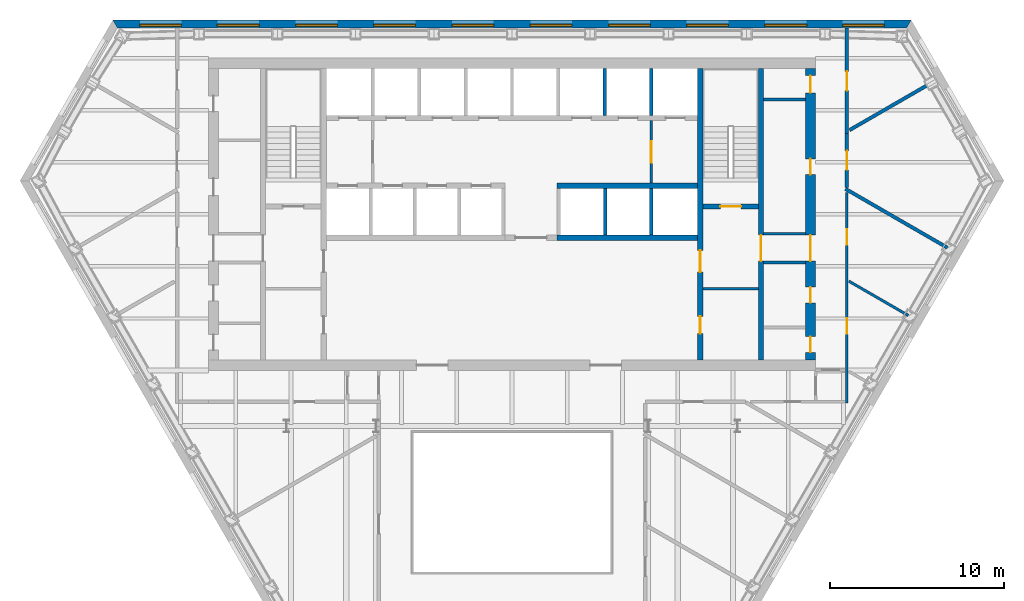
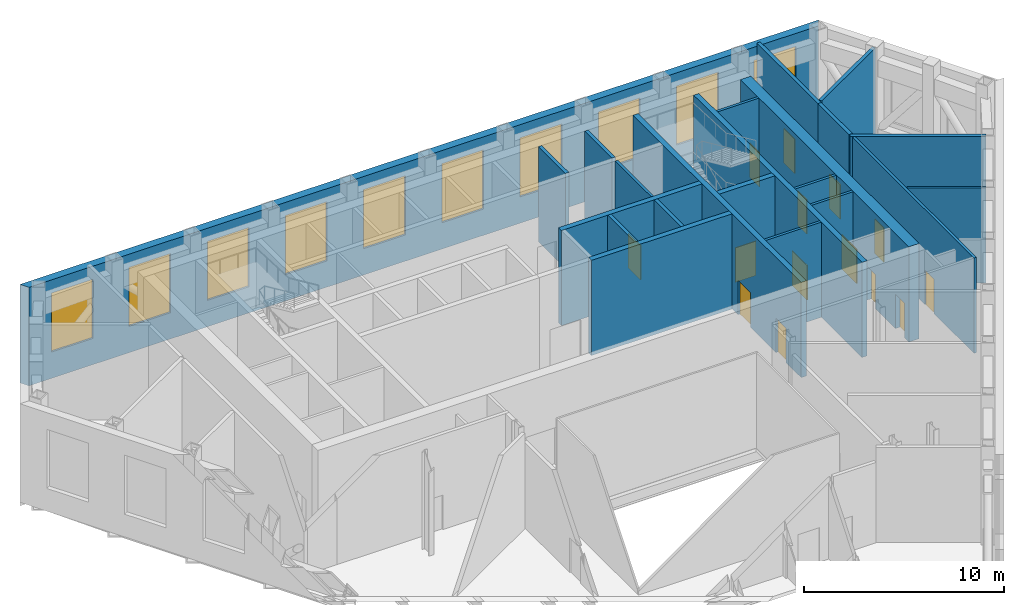
# One storey, part 10 of 14: 22 walls, 14 doors, 10 shading devices, 24 openings.
"""IFC4 building model written with IfcOpenShell, lengths in metres."""

from ifc_helpers import new_model, si_unit, direction, frame, frame_2d, origin, place, context, subcontext, project, spatial, polyline, rectangle, outline, extrude, material, layer, layer_set, type_object, element, fill, save


model = new_model("IFC4")

# Units and contexts
model_context = context("Model", 3, precision=1e-05, world=origin(), true_north=direction((0.0, 1.0)))
body_context = subcontext(model_context, "Body", "Model", "MODEL_VIEW")
ifc_project = project(units=[si_unit("LENGTHUNIT", "METRE"), si_unit("AREAUNIT", "SQUARE_METRE"), si_unit("VOLUMEUNIT", "CUBIC_METRE"), si_unit("PLANEANGLEUNIT", "RADIAN"), si_unit("MASSUNIT", "GRAM", prefix="KILO")], contexts=[model_context])

# Site, building, storey
site_placement = place(None, origin())
site = spatial("IfcSite", under=ifc_project, at=site_placement, CompositionType="ELEMENT")
building_placement = place(site_placement, origin())
building = spatial("IfcBuilding", under=site, at=building_placement, Name="Njiva Tower", CompositionType="ELEMENT")
storey_placement = place(building_placement, frame((0.0, 0.0, 78.3)))
storey = spatial("IfcBuildingStorey", under=building, at=storey_placement, Name="L16", CompositionType="ELEMENT", Elevation=78.3)

# Walls
ifc_material_1 = material(Name="Blockwork", Category="masonry")
ifc_layer_1 = layer(ifc_material_1, 0.15)
ifc_layer_set_1 = layer_set([ifc_layer_1], Name="Blockwork")
wall_type_1 = type_object("IfcWallType", Name="WT1 Compartment partition 150", PredefinedType="PARTITIONING", material=ifc_layer_set_1)
wall_1_placement = place(storey_placement, frame((11.0, 4.725, 0.0), z_axis=(0.0, 0.0, 1.0), x_axis=(1.0, 0.0, 0.0)))
element("IfcWall", 1, at=wall_1_placement, inside=storey, type_object=wall_type_1, Name="Room wall B", PredefinedType="PARTITIONING", context=body_context, shape_type="SweptSolid", body=[
    extrude(rectangle(XDim=3.2, YDim=0.15, at=frame_2d((1.6, 0.0))), origin(), (0.0, 0.0, 1.0), 5.8),
])
wall_2_placement = place(storey_placement, frame((14.5, 15.6184, 0.0), z_axis=(0.0, 0.0, 1.0), x_axis=(1.0, 0.0, 0.0)))
element("IfcWall", 2, at=wall_2_placement, inside=storey, type_object=wall_type_1, Name="Partition strip E10", PredefinedType="PARTITIONING", context=body_context, shape_type="SweptSolid", body=[
    extrude(rectangle(XDim=2.4, YDim=0.15, at=frame_2d((1.2, 0.0))), origin(), (0.0, 0.0, 1.0), 5.8),
])

# Wall, openings, doors
ifc_material_2 = material(Name="Concrete C40/50", Category="concrete")
ifc_layer_2 = layer(ifc_material_2, 0.3)
ifc_layer_set_2 = layer_set([ifc_layer_2], Name="Concrete C40/50")
wall_type_2 = type_object("IfcWallType", Name="WT10 Stair enclosure wall 300", PredefinedType="SHEAR", material=ifc_layer_set_2)
wall_3_placement = place(storey_placement, frame((10.85, 0.6, 0.0), z_axis=(0.0, 0.0, 1.0), x_axis=(0.0, 1.0, 0.0)))
wall_3 = element("IfcWall", 3, at=wall_3_placement, inside=storey, type_object=wall_type_2, Name="Stair wall east inner", PredefinedType="SHEAR", context=body_context, shape_type="SweptSolid", body=[
    extrude(rectangle(XDim=16.8, YDim=0.3, at=frame_2d((8.4, 0.0))), origin(), (0.0, 0.0, 1.0), 5.8),
])
opening_1_placement = place(wall_3_placement, frame((5.075, 0.0, 0.0)))
opening_1 = element("IfcOpeningElement", 4, at=opening_1_placement, cuts=wall_3, Name="Opening T1-D918", PredefinedType="OPENING", context=body_context, shape_type="SweptSolid", body=[
    extrude(rectangle(XDim=1.25, YDim=2.1, at=frame_2d((0.625, 1.05))), frame((0.0, 0.16, 0.0), z_axis=(0.0, -1.0, 0.0), x_axis=(1.0, 0.0, 0.0)), (0.0, 0.0, 1.0), 0.32),
])
opening_2_placement = place(wall_3_placement, frame((1.525, 0.0, 0.0)))
opening_2 = element("IfcOpeningElement", 5, at=opening_2_placement, cuts=wall_3, Name="Opening T1-D919", PredefinedType="OPENING", context=body_context, shape_type="SweptSolid", body=[
    extrude(rectangle(XDim=1.0, YDim=2.1, at=frame_2d((0.5, 1.05))), frame((0.0, 0.16, 0.0), z_axis=(0.0, -1.0, 0.0), x_axis=(1.0, 0.0, 0.0)), (0.0, 0.0, 1.0), 0.32),
])
ifc_material_3 = material(Name="Steel door, painted", Category="steel")
door_type_1 = type_object("IfcDoorType", Name="D5 Steel door 1000x2100", OperationType="SINGLE_SWING_LEFT", PredefinedType="DOOR", material=ifc_material_3)
door_1_placement = place(opening_2_placement, origin())
door_1 = element("IfcDoor", 6, at=door_1_placement, inside=storey, type_object=door_type_1, Name="Plant room door", OperationType="SINGLE_SWING_LEFT", OverallHeight=2.1, OverallWidth=1.0, PredefinedType="DOOR", context=body_context, shape_type="SweptSolid", body=[
    extrude(rectangle(XDim=1.0, YDim=2.1, at=frame_2d((0.5, 1.05))), frame((0.0, 0.025, 0.0), z_axis=(0.0, -1.0, 0.0), x_axis=(1.0, 0.0, 0.0)), (0.0, 0.0, 1.0), 0.05),
])
fill(opening_2, door_1)
ifc_material_4 = material(Name="Glazed steel fire door", Category="steel")
door_type_2 = type_object("IfcDoorType", Name="D8 Vestibule corridor door 1250x2100 glazed", OperationType="SINGLE_SWING_LEFT", PredefinedType="DOOR", material=ifc_material_4)
door_2_placement = place(opening_1_placement, origin())
door_2 = element("IfcDoor", 7, at=door_2_placement, inside=storey, type_object=door_type_2, Name="Stair vestibule corridor door", OperationType="SINGLE_SWING_RIGHT", OverallHeight=2.1, OverallWidth=1.25, PredefinedType="DOOR", context=body_context, shape_type="SweptSolid", body=[
    extrude(rectangle(XDim=1.25, YDim=2.1, at=frame_2d((0.625, 1.05))), frame((0.0, 0.025, 0.0), z_axis=(0.0, -1.0, 0.0), x_axis=(1.0, 0.0, 0.0)), (0.0, 0.0, 1.0), 0.05),
])
fill(opening_1, door_2)

# Wall, opening, door
wall_4_placement = place(storey_placement, frame((14.35, 0.6, 0.0), z_axis=(0.0, 0.0, 1.0), x_axis=(0.0, 1.0, 0.0)))
wall_4 = element("IfcWall", 8, at=wall_4_placement, inside=storey, type_object=wall_type_2, Name="Stair wall east outer", PredefinedType="SHEAR", context=body_context, shape_type="SweptSolid", body=[
    extrude(rectangle(XDim=16.8, YDim=0.3, at=frame_2d((8.4, 0.0))), origin(), (0.0, 0.0, 1.0), 5.8),
])
opening_3_placement = place(wall_4_placement, frame((5.7, 0.0, 0.0)))
opening_3 = element("IfcOpeningElement", 9, at=opening_3_placement, cuts=wall_4, Name="Opening T1-D926", PredefinedType="OPENING", context=body_context, shape_type="SweptSolid", body=[
    extrude(rectangle(XDim=1.5, YDim=2.1, at=frame_2d((0.75, 1.05))), frame((0.0, 0.16, 0.0), z_axis=(0.0, -1.0, 0.0), x_axis=(1.0, 0.0, 0.0)), (0.0, 0.0, 1.0), 0.32),
])
door_type_3 = type_object("IfcDoorType", Name="D10 Exit door double 1500x2100 glazed", OperationType="DOUBLE_DOOR_SINGLE_SWING", PredefinedType="DOOR", material=ifc_material_4)
door_3_placement = place(opening_3_placement, origin())
door_3 = element("IfcDoor", 10, at=door_3_placement, inside=storey, type_object=door_type_3, Name="Stair B passage door", OperationType="DOUBLE_DOOR_SINGLE_SWING", OverallHeight=2.1, OverallWidth=1.5, PredefinedType="DOOR", context=body_context, shape_type="SweptSolid", body=[
    extrude(rectangle(XDim=1.5, YDim=2.1, at=frame_2d((0.75, 1.05))), frame((0.0, 0.025, 0.0), z_axis=(0.0, -1.0, 0.0), x_axis=(1.0, 0.0, 0.0)), (0.0, 0.0, 1.0), 0.05),
])
fill(opening_3, door_3)

wall_5_placement = place(storey_placement, frame((11.0, 9.45, 0.0), z_axis=(0.0, 0.0, 1.0), x_axis=(1.0, 0.0, 0.0)))
wall_5 = element("IfcWall", 11, at=wall_5_placement, inside=storey, type_object=wall_type_2, Name="Stair B south wall", PredefinedType="SHEAR", context=body_context, shape_type="SweptSolid", body=[
    extrude(rectangle(XDim=3.2, YDim=0.3, at=frame_2d((1.6, 0.0))), origin(), (0.0, 0.0, 1.0), 5.8),
])
opening_4_placement = place(wall_5_placement, frame((1.0, 0.0, 0.0)))
opening_4 = element("IfcOpeningElement", 12, at=opening_4_placement, cuts=wall_5, Name="Opening T1-D917", PredefinedType="OPENING", context=body_context, shape_type="SweptSolid", body=[
    extrude(rectangle(XDim=1.2, YDim=2.1, at=frame_2d((0.6, 1.05))), frame((0.0, 0.16, 0.0), z_axis=(0.0, -1.0, 0.0), x_axis=(1.0, 0.0, 0.0)), (0.0, 0.0, 1.0), 0.32),
])
door_type_4 = type_object("IfcDoorType", Name="D7 Stair vestibule door 1200x2100 glazed", OperationType="SINGLE_SWING_LEFT", PredefinedType="DOOR", material=ifc_material_4)
door_4_placement = place(opening_4_placement, origin())
door_4 = element("IfcDoor", 13, at=door_4_placement, inside=storey, type_object=door_type_4, Name="Stair B door", OperationType="SINGLE_SWING_LEFT", OverallHeight=2.1, OverallWidth=1.2, PredefinedType="DOOR", context=body_context, shape_type="SweptSolid", body=[
    extrude(rectangle(XDim=1.2, YDim=2.1, at=frame_2d((0.6, 1.05))), frame((0.0, 0.025, 0.0), z_axis=(0.0, -1.0, 0.0), x_axis=(1.0, 0.0, 0.0)), (0.0, 0.0, 1.0), 0.05),
])
fill(opening_4, door_4)

# Wall, openings, doors
ifc_material_5 = material(Name="Concrete C60/75", Category="concrete")
ifc_layer_3 = layer(ifc_material_5, 0.6)
ifc_layer_set_3 = layer_set([ifc_layer_3], Name="Concrete C60/75")
wall_type_3 = type_object("IfcWallType", Name="WT15 Core wall 600", PredefinedType="SHEAR", material=ifc_layer_set_3)
wall_6_placement = place(storey_placement, frame((17.2, 0.6, 0.0), z_axis=(0.0, 0.0, 1.0), x_axis=(0.0, 1.0, 0.0)))
wall_6 = element("IfcWall", 14, at=wall_6_placement, inside=storey, type_object=wall_type_3, Name="Core wall east", PredefinedType="SHEAR", context=body_context, shape_type="SweptSolid", body=[
    extrude(rectangle(XDim=16.8, YDim=0.6, at=frame_2d((8.4, 0.0))), origin(), (0.0, 0.0, 1.0), 5.8),
])
opening_5_placement = place(wall_6_placement, frame((5.7, 0.0, 0.0)))
opening_5 = element("IfcOpeningElement", 15, at=opening_5_placement, cuts=wall_6, Name="Opening T1-D927", PredefinedType="OPENING", context=body_context, shape_type="SweptSolid", body=[
    extrude(rectangle(XDim=1.5, YDim=2.1, at=frame_2d((0.75, 1.05))), frame((0.0, 0.31, 0.0), z_axis=(0.0, -1.0, 0.0), x_axis=(1.0, 0.0, 0.0)), (0.0, 0.0, 1.0), 0.62),
])
opening_6_placement = place(wall_6_placement, frame((0.4522, 0.0, 0.0)))
opening_6 = element("IfcOpeningElement", 16, at=opening_6_placement, cuts=wall_6, Name="Opening T1-D928", PredefinedType="OPENING", context=body_context, shape_type="SweptSolid", body=[
    extrude(rectangle(XDim=0.9, YDim=2.1, at=frame_2d((0.45, 1.05))), frame((0.0, 0.31, 0.0), z_axis=(0.0, -1.0, 0.0), x_axis=(1.0, 0.0, 0.0)), (0.0, 0.0, 1.0), 0.62),
])
opening_7_placement = place(wall_6_placement, frame((3.3022, 0.0, 0.0)))
opening_7 = element("IfcOpeningElement", 17, at=opening_7_placement, cuts=wall_6, Name="Opening T1-D929", PredefinedType="OPENING", context=body_context, shape_type="SweptSolid", body=[
    extrude(rectangle(XDim=0.9, YDim=2.1, at=frame_2d((0.45, 1.05))), frame((0.0, 0.31, 0.0), z_axis=(0.0, -1.0, 0.0), x_axis=(1.0, 0.0, 0.0)), (0.0, 0.0, 1.0), 0.62),
])
opening_8_placement = place(wall_6_placement, frame((10.6967, 0.0, 0.0)))
opening_8 = element("IfcOpeningElement", 18, at=opening_8_placement, cuts=wall_6, Name="Opening T1-D930", PredefinedType="OPENING", context=body_context, shape_type="SweptSolid", body=[
    extrude(rectangle(XDim=0.9, YDim=2.1, at=frame_2d((0.45, 1.05))), frame((0.0, 0.31, 0.0), z_axis=(0.0, -1.0, 0.0), x_axis=(1.0, 0.0, 0.0)), (0.0, 0.0, 1.0), 0.62),
])
opening_9_placement = place(wall_6_placement, frame((15.4, 0.0, 0.0)))
opening_9 = element("IfcOpeningElement", 19, at=opening_9_placement, cuts=wall_6, Name="Opening T1-D931", PredefinedType="OPENING", context=body_context, shape_type="SweptSolid", body=[
    extrude(rectangle(XDim=1.0, YDim=2.1, at=frame_2d((0.5, 1.05))), frame((0.0, 0.31, 0.0), z_axis=(0.0, -1.0, 0.0), x_axis=(1.0, 0.0, 0.0)), (0.0, 0.0, 1.0), 0.62),
])
door_5_placement = place(opening_5_placement, origin())
door_5 = element("IfcDoor", 20, at=door_5_placement, inside=storey, type_object=door_type_3, Name="Stair B corridor door", OperationType="DOUBLE_DOOR_SINGLE_SWING", OverallHeight=2.1, OverallWidth=1.5, PredefinedType="DOOR", context=body_context, shape_type="SweptSolid", body=[
    extrude(rectangle(XDim=1.5, YDim=2.1, at=frame_2d((0.75, 1.05))), frame((0.0, 0.025, 0.0), z_axis=(0.0, -1.0, 0.0), x_axis=(1.0, 0.0, 0.0)), (0.0, 0.0, 1.0), 0.05),
])
fill(opening_5, door_5)
door_type_5 = type_object("IfcDoorType", Name="D4 Riser door 900x2100", OperationType="SINGLE_SWING_LEFT", PredefinedType="DOOR", material=ifc_material_3)
door_6_placement = place(opening_6_placement, origin())
door_6 = element("IfcDoor", 21, at=door_6_placement, inside=storey, type_object=door_type_5, Name="Mechanical riser door", OperationType="SINGLE_SWING_LEFT", OverallHeight=2.1, OverallWidth=0.9, PredefinedType="DOOR", context=body_context, shape_type="SweptSolid", body=[
    extrude(rectangle(XDim=0.9, YDim=2.1, at=frame_2d((0.45, 1.05))), frame((0.0, 0.025, 0.0), z_axis=(0.0, -1.0, 0.0), x_axis=(1.0, 0.0, 0.0)), (0.0, 0.0, 1.0), 0.05),
])
fill(opening_6, door_6)
door_7_placement = place(opening_9_placement, origin())
door_7 = element("IfcDoor", 22, at=door_7_placement, inside=storey, type_object=door_type_1, Name="Telecoms plant room door", OperationType="SINGLE_SWING_LEFT", OverallHeight=2.1, OverallWidth=1.0, PredefinedType="DOOR", context=body_context, shape_type="SweptSolid", body=[
    extrude(rectangle(XDim=1.0, YDim=2.1, at=frame_2d((0.5, 1.05))), frame((0.0, 0.025, 0.0), z_axis=(0.0, -1.0, 0.0), x_axis=(1.0, 0.0, 0.0)), (0.0, 0.0, 1.0), 0.05),
])
fill(opening_9, door_7)
ifc_material_6 = material(Name="Steel fire door, painted", Category="steel")
door_type_6 = type_object("IfcDoorType", Name="D6 Fire-rated door 900x2100", OperationType="SINGLE_SWING_LEFT", PredefinedType="DOOR", material=ifc_material_6)
door_8_placement = place(opening_7_placement, origin())
door_8 = element("IfcDoor", 23, at=door_8_placement, inside=storey, type_object=door_type_6, Name="Plant room door", OperationType="SINGLE_SWING_RIGHT", OverallHeight=2.1, OverallWidth=0.9, PredefinedType="DOOR", context=body_context, shape_type="SweptSolid", body=[
    extrude(rectangle(XDim=0.9, YDim=2.1, at=frame_2d((0.45, 1.05))), frame((0.0, 0.025, 0.0), z_axis=(0.0, -1.0, 0.0), x_axis=(1.0, 0.0, 0.0)), (0.0, 0.0, 1.0), 0.05),
])
fill(opening_7, door_8)
door_9_placement = place(opening_8_placement, origin())
door_9 = element("IfcDoor", 24, at=door_9_placement, inside=storey, type_object=door_type_6, Name="Plant room door", OperationType="SINGLE_SWING_LEFT", OverallHeight=2.1, OverallWidth=0.9, PredefinedType="DOOR", context=body_context, shape_type="SweptSolid", body=[
    extrude(rectangle(XDim=0.9, YDim=2.1, at=frame_2d((0.45, 1.05))), frame((0.0, 0.025, 0.0), z_axis=(0.0, -1.0, 0.0), x_axis=(1.0, 0.0, 0.0)), (0.0, 0.0, 1.0), 0.05),
])
fill(opening_8, door_9)

# Wall, opening, door
ifc_layer_4 = layer(ifc_material_1, 0.15)
ifc_layer_set_4 = layer_set([ifc_layer_4], Name="Blockwork")
wall_type_4 = type_object("IfcWallType", Name="WT2 Lobby partition 150", PredefinedType="PARTITIONING", material=ifc_layer_set_4)
wall_7_placement = place(storey_placement, frame((8.025, 10.8, 0.0), z_axis=(0.0, 0.0, 1.0), x_axis=(0.0, 1.0, 0.0)))
wall_7 = element("IfcWall", 25, at=wall_7_placement, inside=storey, type_object=wall_type_4, Name="Firefighting lobby wall B", PredefinedType="PARTITIONING", context=body_context, shape_type="SweptSolid", body=[
    extrude(rectangle(XDim=3.6, YDim=0.15, at=frame_2d((1.8, 0.0))), origin(), (0.0, 0.0, 1.0), 5.8),
])
opening_10_placement = place(wall_7_placement, frame((1.175, 0.0, 0.0)))
opening_10 = element("IfcOpeningElement", 26, at=opening_10_placement, cuts=wall_7, Name="Opening T1-D916", PredefinedType="OPENING", context=body_context, shape_type="SweptSolid", body=[
    extrude(rectangle(XDim=1.25, YDim=2.1, at=frame_2d((0.625, 1.05))), frame((0.0, 0.085, 0.0), z_axis=(0.0, -1.0, 0.0), x_axis=(1.0, 0.0, 0.0)), (0.0, 0.0, 1.0), 0.17),
])
door_10_placement = place(opening_10_placement, origin())
door_10 = element("IfcDoor", 27, at=door_10_placement, inside=storey, type_object=door_type_2, Name="Stair vestibule corridor door", OperationType="SINGLE_SWING_LEFT", OverallHeight=2.1, OverallWidth=1.25, PredefinedType="DOOR", context=body_context, shape_type="SweptSolid", body=[
    extrude(rectangle(XDim=1.25, YDim=2.1, at=frame_2d((0.625, 1.05))), frame((0.0, 0.025, 0.0), z_axis=(0.0, -1.0, 0.0), x_axis=(1.0, 0.0, 0.0)), (0.0, 0.0, 1.0), 0.05),
])
fill(opening_10, door_10)

# Wall
ifc_layer_5 = layer(ifc_material_1, 0.2)
ifc_layer_set_5 = layer_set([ifc_layer_5], Name="Blockwork")
wall_type_5 = type_object("IfcWallType", Name="WT22 Plant room wall 200", PredefinedType="PARTITIONING", material=ifc_layer_set_5)
wall_8_placement = place(storey_placement, frame((19.214, 10.469, 0.0), z_axis=(0.0, 0.0, 1.0), x_axis=(0.866102085121, -0.499867160503, 0.0)))
element("IfcWall", 28, at=wall_8_placement, inside=storey, type_object=wall_type_5, Name="Partition T1-P030", PredefinedType="PARTITIONING", context=body_context, shape_type="SweptSolid", body=[
    extrude(rectangle(XDim=6.7798, YDim=0.2, at=frame_2d((3.3899, 0.0))), origin(), (0.0, 0.0, 1.0), 5.8),
])

# Wall, opening, door
wall_9_placement = place(storey_placement, frame((19.3, 13.669, 0.0), z_axis=(0.0, 0.0, 1.0), x_axis=(0.000164446635, 0.999999986479, 0.0)))
wall_9 = element("IfcWall", 29, at=wall_9_placement, inside=storey, type_object=wall_type_5, Name="Partition T1-P031", PredefinedType="PARTITIONING", context=body_context, shape_type="SweptSolid", body=[
    extrude(rectangle(XDim=6.081, YDim=0.2, at=frame_2d((3.0405, 0.0))), origin(), (0.0, 0.0, 1.0), 5.8),
])
opening_11_placement = place(wall_9_placement, frame((2.465, 0.0, 0.0)))
opening_11 = element("IfcOpeningElement", 30, at=opening_11_placement, cuts=wall_9, Name="Opening T1-D016", PredefinedType="OPENING", context=body_context, shape_type="SweptSolid", body=[
    extrude(rectangle(XDim=1.1, YDim=2.1, at=frame_2d((0.55, 1.05))), frame((0.0, 0.11, 0.0), z_axis=(0.0, -1.0, 0.0), x_axis=(1.0, 0.0, 0.0)), (0.0, 0.0, 1.0), 0.22),
])
ifc_material_7 = material(Name="Steel door set", Category="steel")
door_type_7 = type_object("IfcDoorType", Name="D34 Plant door 1100x2100", OperationType="SINGLE_SWING_LEFT", PredefinedType="DOOR", material=ifc_material_7)
door_11_placement = place(opening_11_placement, origin())
door_11 = element("IfcDoor", 31, at=door_11_placement, inside=storey, type_object=door_type_7, Name="Door T1-D016", OperationType="SINGLE_SWING_LEFT", OverallHeight=2.1, OverallWidth=1.1, PredefinedType="DOOR", context=body_context, shape_type="SweptSolid", body=[
    extrude(rectangle(XDim=1.1, YDim=2.1, at=frame_2d((0.55, 1.05))), frame((0.0, 0.025, 0.0), z_axis=(0.0, -1.0, 0.0), x_axis=(1.0, 0.0, 0.0)), (0.0, 0.0, 1.0), 0.05),
])
fill(opening_11, door_11)

wall_10_placement = place(storey_placement, frame((19.3, 13.669, 0.0), z_axis=(0.0, 0.0, 1.0), x_axis=(0.00032123352, -0.999999948405, 0.0)))
wall_10 = element("IfcWall", 32, at=wall_10_placement, inside=storey, type_object=wall_type_5, Name="Partition T1-P033", PredefinedType="PARTITIONING", context=body_context, shape_type="SweptSolid", body=[
    extrude(rectangle(XDim=3.113, YDim=0.2, at=frame_2d((1.5565, 0.0))), origin(), (0.0, 0.0, 1.0), 5.8),
])
opening_12_placement = place(wall_10_placement, frame((1.007, 0.0, 0.0)))
opening_12 = element("IfcOpeningElement", 33, at=opening_12_placement, cuts=wall_10, Name="Opening T1-D019", PredefinedType="OPENING", context=body_context, shape_type="SweptSolid", body=[
    extrude(rectangle(XDim=1.1, YDim=2.1, at=frame_2d((0.55, 1.05))), frame((0.0, 0.11, 0.0), z_axis=(0.0, -1.0, 0.0), x_axis=(1.0, 0.0, 0.0)), (0.0, 0.0, 1.0), 0.22),
])
door_type_8 = type_object("IfcDoorType", Name="D39 Emergency power room door 1100x2100", OperationType="SINGLE_SWING_LEFT", PredefinedType="DOOR", material=ifc_material_7)
door_12_placement = place(opening_12_placement, origin())
door_12 = element("IfcDoor", 34, at=door_12_placement, inside=storey, type_object=door_type_8, Name="Door T1-D019", OperationType="SINGLE_SWING_LEFT", OverallHeight=2.1, OverallWidth=1.1, PredefinedType="DOOR", context=body_context, shape_type="SweptSolid", body=[
    extrude(rectangle(XDim=1.1, YDim=2.1, at=frame_2d((0.55, 1.05))), frame((0.0, 0.025, 0.0), z_axis=(0.0, -1.0, 0.0), x_axis=(1.0, 0.0, 0.0)), (0.0, 0.0, 1.0), 0.05),
])
fill(opening_12, door_12)

# Wall
wall_11_placement = place(storey_placement, frame((19.45, 13.856, 0.0), z_axis=(0.0, 0.0, 1.0), x_axis=(0.866163788575, 0.499760233874, 0.0)))
element("IfcWall", 35, at=wall_11_placement, inside=storey, type_object=wall_type_5, Name="Partition T1-P036", PredefinedType="PARTITIONING", context=body_context, shape_type="SweptSolid", body=[
    extrude(rectangle(XDim=5.3466, YDim=0.2, at=frame_2d((2.6733, 0.0))), origin(), (0.0, 0.0, 1.0), 5.8),
])

# Wall, openings, doors
ifc_material_8 = material(Name="Gypsum board on steel studs", Category="gypsum")
ifc_layer_6 = layer(ifc_material_8, 0.15)
ifc_layer_set_6 = layer_set([ifc_layer_6], Name="Gypsum board on steel studs")
wall_type_6 = type_object("IfcWallType", Name="WT24 Riser room wall 150", PredefinedType="PARTITIONING", material=ifc_layer_set_6)
wall_12_placement = place(storey_placement, frame((19.3, -1.875, 0.0), z_axis=(0.0, 0.0, 1.0), x_axis=(0.0, 1.0, 0.0)))
wall_12 = element("IfcWall", 36, at=wall_12_placement, inside=storey, type_object=wall_type_6, Name="Partition T1-P032", PredefinedType="PARTITIONING", context=body_context, shape_type="SweptSolid", body=[
    extrude(rectangle(XDim=12.136, YDim=0.15, at=frame_2d((6.068, 0.0))), origin(), (0.0, 0.0, 1.0), 5.8),
])
opening_13_placement = place(wall_12_placement, frame((3.987, 0.0, 0.0)))
opening_13 = element("IfcOpeningElement", 37, at=opening_13_placement, cuts=wall_12, Name="Opening T1-D017", PredefinedType="OPENING", context=body_context, shape_type="SweptSolid", body=[
    extrude(rectangle(XDim=0.9, YDim=2.1, at=frame_2d((0.45, 1.05))), frame((0.0, 0.085, 0.0), z_axis=(0.0, -1.0, 0.0), x_axis=(1.0, 0.0, 0.0)), (0.0, 0.0, 1.0), 0.17),
])
opening_14_placement = place(wall_12_placement, frame((9.112, 0.0, 0.0)))
opening_14 = element("IfcOpeningElement", 38, at=opening_14_placement, cuts=wall_12, Name="Opening T1-D018", PredefinedType="OPENING", context=body_context, shape_type="SweptSolid", body=[
    extrude(rectangle(XDim=0.9, YDim=2.1, at=frame_2d((0.45, 1.05))), frame((0.0, 0.085, 0.0), z_axis=(0.0, -1.0, 0.0), x_axis=(1.0, 0.0, 0.0)), (0.0, 0.0, 1.0), 0.17),
])
ifc_material_9 = material(Name="Steel fire door set", Category="steel")
door_type_9 = type_object("IfcDoorType", Name="D36 Fire door 900x2100", OperationType="SINGLE_SWING_LEFT", PredefinedType="DOOR", material=ifc_material_9)
door_13_placement = place(opening_13_placement, origin())
door_13 = element("IfcDoor", 39, at=door_13_placement, inside=storey, type_object=door_type_9, Name="Door T1-D017", OperationType="SINGLE_SWING_LEFT", OverallHeight=2.1, OverallWidth=0.9, PredefinedType="DOOR", context=body_context, shape_type="SweptSolid", body=[
    extrude(rectangle(XDim=0.9, YDim=2.1, at=frame_2d((0.45, 1.05))), frame((0.0, 0.025, 0.0), z_axis=(0.0, -1.0, 0.0), x_axis=(1.0, 0.0, 0.0)), (0.0, 0.0, 1.0), 0.05),
])
fill(opening_13, door_13)
door_14_placement = place(opening_14_placement, origin())
door_14 = element("IfcDoor", 40, at=door_14_placement, inside=storey, type_object=door_type_9, Name="Door T1-D018", OperationType="SINGLE_SWING_RIGHT", OverallHeight=2.1, OverallWidth=0.9, PredefinedType="DOOR", context=body_context, shape_type="SweptSolid", body=[
    extrude(rectangle(XDim=0.9, YDim=2.1, at=frame_2d((0.45, 1.05))), frame((0.0, 0.025, 0.0), z_axis=(0.0, -1.0, 0.0), x_axis=(1.0, 0.0, 0.0)), (0.0, 0.0, 1.0), 0.05),
])
fill(opening_14, door_14)

# Walls
wall_13_placement = place(storey_placement, frame((19.413, 5.15, 0.0), z_axis=(0.0, 0.0, 1.0), x_axis=(0.866021079084, -0.500007490527, 0.0)))
element("IfcWall", 41, at=wall_13_placement, inside=storey, type_object=wall_type_6, Name="Partition T1-P035", PredefinedType="PARTITIONING", context=body_context, shape_type="SweptSolid", body=[
    extrude(rectangle(XDim=3.9479, YDim=0.15, at=frame_2d((1.974, 0.0))), origin(), (0.0, 0.0, 1.0), 5.8),
])
ifc_layer_7 = layer(ifc_material_1, 0.15)
ifc_layer_set_7 = layer_set([ifc_layer_7], Name="Blockwork")
wall_type_7 = type_object("IfcWallType", Name="WT4 Stair partition 150", PredefinedType="PARTITIONING", material=ifc_layer_set_7)
for number, where, z_axis, x_axis, name in (
    (42, (14.5, 6.225, 0.0), (0.0, 0.0, 1.0), (1.0, 0.0, 0.0), "Stair B exit passage wall south"),
    (43, (14.5, 7.875, 0.0), (0.0, 0.0, 1.0), (1.0, 0.0, 0.0), "Stair B exit passage wall north"),
):
    element("IfcWall", number, at=place(storey_placement, frame(where, z_axis=z_axis, x_axis=x_axis)), inside=storey, type_object=wall_type_7, Name=name, PredefinedType="PARTITIONING", context=body_context, shape_type="SweptSolid", body=[
        extrude(rectangle(XDim=2.4, YDim=0.15, at=frame_2d((1.2, 0.0))), origin(), (0.0, 0.0, 1.0), 5.8),
    ])
ifc_layer_8 = layer(ifc_material_2, 0.2)
ifc_layer_set_8 = layer_set([ifc_layer_8], Name="Concrete C40/50")
wall_type_8 = type_object("IfcWallType", Name="WT6 Lift shaft wall 200", PredefinedType="SHEAR", material=ifc_layer_set_8)
for number, where, z_axis, x_axis, name in (
    (44, (5.35, 14.7, 0.0), (0.0, 0.0, 1.0), (0.0, 1.0, 0.0), "Shaft wall CN6"),
    (45, (8.025, 14.7, 0.0), (0.0, 0.0, 1.0), (0.0, 1.0, 0.0), "Shaft wall CN7"),
    (46, (5.3667, 7.8, 0.0), (0.0, 0.0, 1.0), (0.0, 1.0, 0.0), "Shaft wall CS6"),
    (47, (8.0333, 7.8, 0.0), (0.0, 0.0, 1.0), (0.0, 1.0, 0.0), "Shaft wall CS7"),
):
    element("IfcWall", number, at=place(storey_placement, frame(where, z_axis=z_axis, x_axis=x_axis)), inside=storey, type_object=wall_type_8, Name=name, PredefinedType="SHEAR", context=body_context, shape_type="SweptSolid", body=[
        extrude(rectangle(XDim=2.7, YDim=0.2, at=frame_2d((1.35, 0.0))), origin(), (0.0, 0.0, 1.0), 5.8),
    ])
ifc_layer_9 = layer(ifc_material_2, 0.3)
ifc_layer_set_9 = layer_set([ifc_layer_9], Name="Concrete C40/50")
wall_type_9 = type_object("IfcWallType", Name="WT7 Lift shaft wall 300", PredefinedType="SHEAR", material=ifc_layer_set_9)
for number, where, z_axis, x_axis, name in (
    (48, (2.6, 10.65, 0.0), (0.0, 0.0, 1.0), (1.0, 0.0, 0.0), "Shaft wall south row lobby side E"),
    (49, (2.6, 7.65, 0.0), (0.0, 0.0, 1.0), (1.0, 0.0, 0.0), "Shaft wall south row back E"),
):
    element("IfcWall", number, at=place(storey_placement, frame(where, z_axis=z_axis, x_axis=x_axis)), inside=storey, type_object=wall_type_9, Name=name, PredefinedType="SHEAR", context=body_context, shape_type="SweptSolid", body=[
        extrude(rectangle(XDim=8.1, YDim=0.3, at=frame_2d((4.05, 0.0))), origin(), (0.0, 0.0, 1.0), 5.8),
    ])

# Wall, openings, shading devices
ifc_material_10 = material(Name="Brick masonry, buff", Category="masonry")
ifc_layer_10 = layer(ifc_material_10, 0.45)
ifc_layer_set_10 = layer_set([ifc_layer_10], Name="Brick masonry, buff")
wall_type_10 = type_object("IfcWallType", Name="WT94 Brick pier and spandrel wall 450, buff", PredefinedType="SOLIDWALL", material=ifc_layer_set_10)
wall_14_placement = place(storey_placement, frame((22.8701, 19.975, -0.4), z_axis=(0.0, 0.0, 1.0), x_axis=(-1.0, 0.0, 0.0)))
wall_14 = element("IfcWall", 50, at=wall_14_placement, inside=storey, type_object=wall_type_10, Name="Facade wall N", PredefinedType="SOLIDWALL", context=body_context, shape_type="SweptSolid", body=[
    extrude(outline(polyline([(-0.1299, -0.225), (45.8701, -0.225), (45.6103, 0.225), (0.1299, 0.225), (-0.1299, -0.225)])), origin(), (0.0, 0.0, 1.0), 6.0),
])
opening_15_placement = place(wall_14_placement, frame((1.4242, 0.0, 1.6)))
opening_15 = element("IfcOpeningElement", 51, at=opening_15_placement, cuts=wall_14, Name="Opening T1-LV01", PredefinedType="OPENING", context=body_context, shape_type="SweptSolid", body=[
    extrude(rectangle(XDim=2.4, YDim=3.6, at=frame_2d((1.2, 1.8))), frame((0.0, 0.235, 0.0), z_axis=(0.0, -1.0, 0.0), x_axis=(1.0, 0.0, 0.0)), (0.0, 0.0, 1.0), 0.47),
])
opening_16_placement = place(wall_14_placement, frame((5.8934, 0.0, 1.6)))
opening_16 = element("IfcOpeningElement", 52, at=opening_16_placement, cuts=wall_14, Name="Opening T1-LV02", PredefinedType="OPENING", context=body_context, shape_type="SweptSolid", body=[
    extrude(rectangle(XDim=2.4, YDim=3.6, at=frame_2d((1.2, 1.8))), frame((0.0, 0.235, 0.0), z_axis=(0.0, -1.0, 0.0), x_axis=(1.0, 0.0, 0.0)), (0.0, 0.0, 1.0), 0.47),
])
opening_17_placement = place(wall_14_placement, frame((10.401, 0.0, 1.6)))
opening_17 = element("IfcOpeningElement", 53, at=opening_17_placement, cuts=wall_14, Name="Opening T1-LV03", PredefinedType="OPENING", context=body_context, shape_type="SweptSolid", body=[
    extrude(rectangle(XDim=2.4, YDim=3.6, at=frame_2d((1.2, 1.8))), frame((0.0, 0.235, 0.0), z_axis=(0.0, -1.0, 0.0), x_axis=(1.0, 0.0, 0.0)), (0.0, 0.0, 1.0), 0.47),
])
opening_18_placement = place(wall_14_placement, frame((14.9087, 0.0, 1.6)))
opening_18 = element("IfcOpeningElement", 54, at=opening_18_placement, cuts=wall_14, Name="Opening T1-LV04", PredefinedType="OPENING", context=body_context, shape_type="SweptSolid", body=[
    extrude(rectangle(XDim=2.4, YDim=3.6, at=frame_2d((1.2, 1.8))), frame((0.0, 0.235, 0.0), z_axis=(0.0, -1.0, 0.0), x_axis=(1.0, 0.0, 0.0)), (0.0, 0.0, 1.0), 0.47),
])
opening_19_placement = place(wall_14_placement, frame((19.4163, 0.0, 1.6)))
opening_19 = element("IfcOpeningElement", 55, at=opening_19_placement, cuts=wall_14, Name="Opening T1-LV05", PredefinedType="OPENING", context=body_context, shape_type="SweptSolid", body=[
    extrude(rectangle(XDim=2.4, YDim=3.6, at=frame_2d((1.2, 1.8))), frame((0.0, 0.235, 0.0), z_axis=(0.0, -1.0, 0.0), x_axis=(1.0, 0.0, 0.0)), (0.0, 0.0, 1.0), 0.47),
])
opening_20_placement = place(wall_14_placement, frame((23.9239, 0.0, 1.6)))
opening_20 = element("IfcOpeningElement", 56, at=opening_20_placement, cuts=wall_14, Name="Opening T1-LV06", PredefinedType="OPENING", context=body_context, shape_type="SweptSolid", body=[
    extrude(rectangle(XDim=2.4, YDim=3.6, at=frame_2d((1.2, 1.8))), frame((0.0, 0.235, 0.0), z_axis=(0.0, -1.0, 0.0), x_axis=(1.0, 0.0, 0.0)), (0.0, 0.0, 1.0), 0.47),
])
opening_21_placement = place(wall_14_placement, frame((28.4315, 0.0, 1.6)))
opening_21 = element("IfcOpeningElement", 57, at=opening_21_placement, cuts=wall_14, Name="Opening T1-LV07", PredefinedType="OPENING", context=body_context, shape_type="SweptSolid", body=[
    extrude(rectangle(XDim=2.4, YDim=3.6, at=frame_2d((1.2, 1.8))), frame((0.0, 0.235, 0.0), z_axis=(0.0, -1.0, 0.0), x_axis=(1.0, 0.0, 0.0)), (0.0, 0.0, 1.0), 0.47),
])
opening_22_placement = place(wall_14_placement, frame((32.9391, 0.0, 1.6)))
opening_22 = element("IfcOpeningElement", 58, at=opening_22_placement, cuts=wall_14, Name="Opening T1-LV08", PredefinedType="OPENING", context=body_context, shape_type="SweptSolid", body=[
    extrude(rectangle(XDim=2.4, YDim=3.6, at=frame_2d((1.2, 1.8))), frame((0.0, 0.235, 0.0), z_axis=(0.0, -1.0, 0.0), x_axis=(1.0, 0.0, 0.0)), (0.0, 0.0, 1.0), 0.47),
])
opening_23_placement = place(wall_14_placement, frame((37.4468, 0.0, 1.6)))
opening_23 = element("IfcOpeningElement", 59, at=opening_23_placement, cuts=wall_14, Name="Opening T1-LV09", PredefinedType="OPENING", context=body_context, shape_type="SweptSolid", body=[
    extrude(rectangle(XDim=2.4, YDim=3.6, at=frame_2d((1.2, 1.8))), frame((0.0, 0.235, 0.0), z_axis=(0.0, -1.0, 0.0), x_axis=(1.0, 0.0, 0.0)), (0.0, 0.0, 1.0), 0.47),
])
opening_24_placement = place(wall_14_placement, frame((41.916, 0.0, 1.6)))
opening_24 = element("IfcOpeningElement", 60, at=opening_24_placement, cuts=wall_14, Name="Opening T1-LV10", PredefinedType="OPENING", context=body_context, shape_type="SweptSolid", body=[
    extrude(rectangle(XDim=2.4, YDim=3.6, at=frame_2d((1.2, 1.8))), frame((0.0, 0.235, 0.0), z_axis=(0.0, -1.0, 0.0), x_axis=(1.0, 0.0, 0.0)), (0.0, 0.0, 1.0), 0.47),
])
ifc_material_11 = material(Name="Aluminium louvre blades", Category="aluminium")
shading_device_type = type_object("IfcShadingDeviceType", Name="LV1 Plant louvre 2400x3600", PredefinedType="JALOUSIE", material=ifc_material_11)
shading_device_1_placement = place(opening_15_placement, origin())
shading_device_1 = element("IfcShadingDevice", 61, at=shading_device_1_placement, inside=storey, type_object=shading_device_type, Name="Plant louvre", PredefinedType="JALOUSIE", context=body_context, shape_type="SweptSolid", body=[
    extrude(rectangle(XDim=2.4, YDim=3.6, at=frame_2d((1.2, 1.8))), frame((0.0, 0.125, 0.0), z_axis=(0.0, -1.0, 0.0), x_axis=(1.0, 0.0, 0.0)), (0.0, 0.0, 1.0), 0.1),
])
fill(opening_15, shading_device_1)
shading_device_2_placement = place(opening_16_placement, origin())
shading_device_2 = element("IfcShadingDevice", 62, at=shading_device_2_placement, inside=storey, type_object=shading_device_type, Name="Plant louvre", PredefinedType="JALOUSIE", context=body_context, shape_type="SweptSolid", body=[
    extrude(rectangle(XDim=2.4, YDim=3.6, at=frame_2d((1.2, 1.8))), frame((0.0, 0.125, 0.0), z_axis=(0.0, -1.0, 0.0), x_axis=(1.0, 0.0, 0.0)), (0.0, 0.0, 1.0), 0.1),
])
fill(opening_16, shading_device_2)
shading_device_3_placement = place(opening_17_placement, origin())
shading_device_3 = element("IfcShadingDevice", 63, at=shading_device_3_placement, inside=storey, type_object=shading_device_type, Name="Plant louvre", PredefinedType="JALOUSIE", context=body_context, shape_type="SweptSolid", body=[
    extrude(rectangle(XDim=2.4, YDim=3.6, at=frame_2d((1.2, 1.8))), frame((0.0, 0.125, 0.0), z_axis=(0.0, -1.0, 0.0), x_axis=(1.0, 0.0, 0.0)), (0.0, 0.0, 1.0), 0.1),
])
fill(opening_17, shading_device_3)
shading_device_4_placement = place(opening_18_placement, origin())
shading_device_4 = element("IfcShadingDevice", 64, at=shading_device_4_placement, inside=storey, type_object=shading_device_type, Name="Plant louvre", PredefinedType="JALOUSIE", context=body_context, shape_type="SweptSolid", body=[
    extrude(rectangle(XDim=2.4, YDim=3.6, at=frame_2d((1.2, 1.8))), frame((0.0, 0.125, 0.0), z_axis=(0.0, -1.0, 0.0), x_axis=(1.0, 0.0, 0.0)), (0.0, 0.0, 1.0), 0.1),
])
fill(opening_18, shading_device_4)
shading_device_5_placement = place(opening_19_placement, origin())
shading_device_5 = element("IfcShadingDevice", 65, at=shading_device_5_placement, inside=storey, type_object=shading_device_type, Name="Plant louvre", PredefinedType="JALOUSIE", context=body_context, shape_type="SweptSolid", body=[
    extrude(rectangle(XDim=2.4, YDim=3.6, at=frame_2d((1.2, 1.8))), frame((0.0, 0.125, 0.0), z_axis=(0.0, -1.0, 0.0), x_axis=(1.0, 0.0, 0.0)), (0.0, 0.0, 1.0), 0.1),
])
fill(opening_19, shading_device_5)
shading_device_6_placement = place(opening_20_placement, origin())
shading_device_6 = element("IfcShadingDevice", 66, at=shading_device_6_placement, inside=storey, type_object=shading_device_type, Name="Plant louvre", PredefinedType="JALOUSIE", context=body_context, shape_type="SweptSolid", body=[
    extrude(rectangle(XDim=2.4, YDim=3.6, at=frame_2d((1.2, 1.8))), frame((0.0, 0.125, 0.0), z_axis=(0.0, -1.0, 0.0), x_axis=(1.0, 0.0, 0.0)), (0.0, 0.0, 1.0), 0.1),
])
fill(opening_20, shading_device_6)
shading_device_7_placement = place(opening_21_placement, origin())
shading_device_7 = element("IfcShadingDevice", 67, at=shading_device_7_placement, inside=storey, type_object=shading_device_type, Name="Plant louvre", PredefinedType="JALOUSIE", context=body_context, shape_type="SweptSolid", body=[
    extrude(rectangle(XDim=2.4, YDim=3.6, at=frame_2d((1.2, 1.8))), frame((0.0, 0.125, 0.0), z_axis=(0.0, -1.0, 0.0), x_axis=(1.0, 0.0, 0.0)), (0.0, 0.0, 1.0), 0.1),
])
fill(opening_21, shading_device_7)
shading_device_8_placement = place(opening_22_placement, origin())
shading_device_8 = element("IfcShadingDevice", 68, at=shading_device_8_placement, inside=storey, type_object=shading_device_type, Name="Plant louvre", PredefinedType="JALOUSIE", context=body_context, shape_type="SweptSolid", body=[
    extrude(rectangle(XDim=2.4, YDim=3.6, at=frame_2d((1.2, 1.8))), frame((0.0, 0.125, 0.0), z_axis=(0.0, -1.0, 0.0), x_axis=(1.0, 0.0, 0.0)), (0.0, 0.0, 1.0), 0.1),
])
fill(opening_22, shading_device_8)
shading_device_9_placement = place(opening_23_placement, origin())
shading_device_9 = element("IfcShadingDevice", 69, at=shading_device_9_placement, inside=storey, type_object=shading_device_type, Name="Plant louvre", PredefinedType="JALOUSIE", context=body_context, shape_type="SweptSolid", body=[
    extrude(rectangle(XDim=2.4, YDim=3.6, at=frame_2d((1.2, 1.8))), frame((0.0, 0.125, 0.0), z_axis=(0.0, -1.0, 0.0), x_axis=(1.0, 0.0, 0.0)), (0.0, 0.0, 1.0), 0.1),
])
fill(opening_23, shading_device_9)
shading_device_10_placement = place(opening_24_placement, origin())
shading_device_10 = element("IfcShadingDevice", 70, at=shading_device_10_placement, inside=storey, type_object=shading_device_type, Name="Plant louvre", PredefinedType="JALOUSIE", context=body_context, shape_type="SweptSolid", body=[
    extrude(rectangle(XDim=2.4, YDim=3.6, at=frame_2d((1.2, 1.8))), frame((0.0, 0.125, 0.0), z_axis=(0.0, -1.0, 0.0), x_axis=(1.0, 0.0, 0.0)), (0.0, 0.0, 1.0), 0.1),
])
fill(opening_24, shading_device_10)

save(model, "model.ifc")
